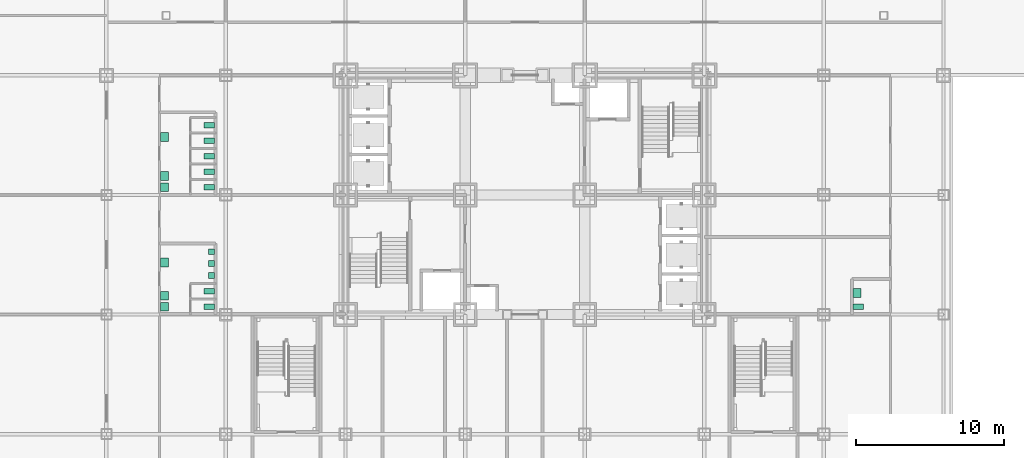
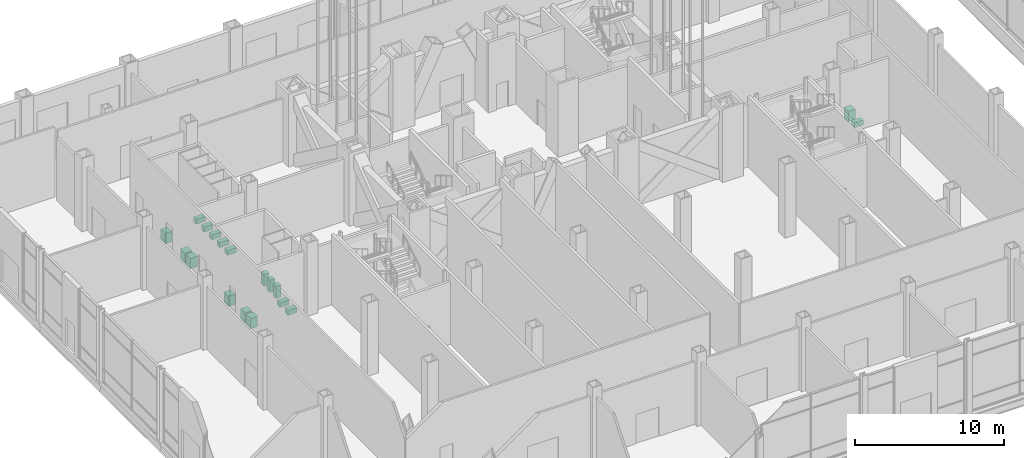
# One storey, part 30 of 35: 18 sanitary terminals.
"""IFC4 building model written with IfcOpenShell, lengths in metres."""

import ifcopenshell
import ifcopenshell.guid

model = None  # the IFC model being written
_history = None  # IfcOwnerHistory: only IFC2X3 demands one
_inside = {}  # id of a spatial element -> (the spatial element, [elements in it])
_under = {}  # id of a project, library or spatial element -> (it, [spatial elements below it])
_declared = {}  # id of a project -> (the project, [libraries it declares])
_typed = {}  # id of a type object -> (the type object, [elements of that type])
_made_of = {}  # id of a material, layer set ... -> (it, [elements and type objects made of it])


def new_model(schema):
    """Start an empty IFC model of exactly this schema.

    Asked for "IFC4X3", IfcOpenShell would pick the latest addendum, in which some entities
    have other attributes; the version numbers below select the first issue.
    IFC2X3 requires an IfcOwnerHistory on every rooted entity: one is made here for all.
    """
    global model, _history
    if schema == "IFC4X3":
        model = ifcopenshell.file(schema_version=(4, 3, 0, 0))
    else:
        model = ifcopenshell.file(schema=schema)
    _inside.clear()
    _under.clear()
    _declared.clear()
    _typed.clear()
    _made_of.clear()
    _history = None
    if model.schema == "IFC2X3":
        org = make("IfcOrganization", Name="unknown")
        user = make(
            "IfcPersonAndOrganization",
            ThePerson=make("IfcPerson", FamilyName="unknown"),
            TheOrganization=org,
        )
        app = make(
            "IfcApplication",
            ApplicationDeveloper=org,
            Version="unknown",
            ApplicationFullName="unknown",
            ApplicationIdentifier="unknown",
        )
        _history = make(
            "IfcOwnerHistory",
            OwningUser=user,
            OwningApplication=app,
            ChangeAction="ADDED",
            CreationDate=0,
        )
    return model


def make(cls, **values):
    """One entity of the class cls with the attributes given. An attribute that is None is left unset."""
    return model.create_entity(
        cls, **{name: value for name, value in values.items() if value is not None}
    )


def rooted(cls, **values):
    """An entity with a GlobalId (a new one), such as an element, a storey or a relation."""
    return make(cls, GlobalId=ifcopenshell.guid.new(), OwnerHistory=_history, **values)


def si_unit(unit_type, name, prefix=None):
    """IfcSIUnit, for example si_unit("LENGTHUNIT", "METRE", prefix="MILLI")."""
    return make("IfcSIUnit", UnitType=unit_type, Prefix=prefix, Name=name)


def assignment(units):
    """IfcUnitAssignment: the units of a project."""
    return None if units is None else make("IfcUnitAssignment", Units=units)


def point(xyz):
    """IfcCartesianPoint."""
    return None if xyz is None else make("IfcCartesianPoint", Coordinates=xyz)


def direction(xyz):
    """IfcDirection."""
    return None if xyz is None else make("IfcDirection", DirectionRatios=xyz)


def frame(location, z_axis=None, x_axis=None):
    """IfcAxis2Placement3D, a coordinate frame: its origin and axes. An axis left out is left unset."""
    return make(
        "IfcAxis2Placement3D",
        Location=point(location),
        Axis=direction(z_axis),
        RefDirection=direction(x_axis),
    )


def frame_2d(location, x_axis=None):
    """IfcAxis2Placement2D, a coordinate frame in the plane: its origin and x axis."""
    return make(
        "IfcAxis2Placement2D", Location=point(location), RefDirection=direction(x_axis)
    )


def origin():
    """The frame at (0, 0, 0) with its axes left unset."""
    return frame((0.0, 0.0, 0.0))


def origin_2d():
    """The frame at (0, 0) in the plane with its x axis left unset."""
    return frame_2d((0.0, 0.0))


def place(relative_to, where):
    """IfcLocalPlacement: puts the frame where relative to a parent placement (None: the world)."""
    return make(
        "IfcLocalPlacement", PlacementRelTo=relative_to, RelativePlacement=where
    )


def context(
    kind, dimensions, precision=None, world=None, true_north=None, identifier=None
):
    """IfcGeometricRepresentationContext, for example the 3D "Model" context."""
    return make(
        "IfcGeometricRepresentationContext",
        ContextIdentifier=identifier,
        ContextType=kind,
        CoordinateSpaceDimension=dimensions,
        Precision=precision,
        WorldCoordinateSystem=world,
        TrueNorth=true_north,
    )


def subcontext(parent, identifier, kind, view, scale=None):
    """IfcGeometricRepresentationSubContext, for example "Body" below "Model"."""
    return make(
        "IfcGeometricRepresentationSubContext",
        ContextIdentifier=identifier,
        ContextType=kind,
        ParentContext=parent,
        TargetScale=scale,
        TargetView=view,
    )


def project(units=None, contexts=None):
    """IfcProject with its units and contexts."""
    return rooted(
        "IfcProject",
        Name="project",
        RepresentationContexts=contexts,
        UnitsInContext=assignment(units),
    )


def spatial(cls, under=None, at=None, **own):
    """A site, building, storey or space (cls), placed at a placement, below another one or the project."""
    s = rooted(cls, ObjectPlacement=at, **own)
    if under is not None:
        _under.setdefault(under.id(), (under, []))[1].append(s)
    return s


def profile(cls, at=None, kind="AREA", **sizes):
    """A parametric profile (cls). Its sizes go by their IFC names, for example OverallWidth=200.0."""
    return make(cls, ProfileType=kind, Position=at, **sizes)


def rectangle(**sizes):
    """IfcRectangleProfileDef."""
    return profile("IfcRectangleProfileDef", **sizes)


def extrude(swept, where, along, depth):
    """IfcExtrudedAreaSolid: the profile swept, set in the frame where, extruded along a direction by depth."""
    return make(
        "IfcExtrudedAreaSolid",
        SweptArea=swept,
        Position=where,
        ExtrudedDirection=direction(along),
        Depth=depth,
    )


def shape(context_of_items, identifier, shape_type, items):
    """IfcShapeRepresentation: the items that make up one representation, for example the "Body"."""
    return make(
        "IfcShapeRepresentation",
        ContextOfItems=context_of_items,
        RepresentationIdentifier=identifier,
        RepresentationType=shape_type,
        Items=items,
    )


def material(Name=None, Category=None):
    """IfcMaterial."""
    return make("IfcMaterial", Name=Name, Category=Category)


def made_of(thing, what):
    """Note that an element or type object is made of a material, layer set ...; save() writes the relation."""
    if what is not None:
        _made_of.setdefault(what.id(), (what, []))[1].append(thing)
    return thing


def element(
    cls,
    number,
    at=None,
    inside=None,
    cuts=None,
    type_object=None,
    material=None,
    context=None,
    identifier="Body",
    shape_type=None,
    held_by="IfcProductDefinitionShape",
    body=None,
    shapes=None,
    **own,
):
    """One element of the class cls, such as IfcWall. Its Tag is "e" and its number.

    at: its placement. inside: the storey or other place that contains it. cuts: it is an
    opening in that element (IfcRelVoidsElement). A single representation is given by context,
    identifier, shape_type and body (its items); several are given by shapes. held_by: the class
    of the entity that holds the representations. save() writes the other relations.
    """
    e = rooted(cls, Tag="e%d" % number, ObjectPlacement=at, **own)
    if body is not None:
        shapes = [shape(context, identifier, shape_type, body)]
    if shapes is not None:
        e.Representation = make(held_by, Representations=shapes)
    if inside is not None:
        _inside.setdefault(inside.id(), (inside, []))[1].append(e)
    if cuts is not None:
        rooted(
            "IfcRelVoidsElement", RelatingBuildingElement=cuts, RelatedOpeningElement=e
        )
    if type_object is not None:
        _typed.setdefault(type_object.id(), (type_object, []))[1].append(e)
    return made_of(e, material)


def aggregate(whole, parts):
    """IfcRelAggregates: a whole, such as a stair, and the parts it consists of."""
    return rooted("IfcRelAggregates", RelatingObject=whole, RelatedObjects=parts)


def save(model, path):
    """Write the relations noted so far, then the file.

    IfcRelAggregates (storeys below a building ...), IfcRelContainedInSpatialStructure (elements
    in a storey), IfcRelDefinesByType, IfcRelAssociatesMaterial and IfcRelDeclares: one each for
    every whole, place, type object, material and project.
    """
    for whole, parts in _under.values():
        aggregate(whole, parts)
    for where, things in _inside.values():
        rooted(
            "IfcRelContainedInSpatialStructure",
            RelatedElements=things,
            RelatingStructure=where,
        )
    for kind, things in _typed.values():
        rooted("IfcRelDefinesByType", RelatedObjects=things, RelatingType=kind)
    for what, things in _made_of.values():
        rooted("IfcRelAssociatesMaterial", RelatedObjects=things, RelatingMaterial=what)
    for by, libraries in _declared.values():
        rooted("IfcRelDeclares", RelatingContext=by, RelatedDefinitions=libraries)
    model.write(path)


model = new_model("IFC4")

# Units and contexts
model_context = context("Model", 3, precision=1e-05, world=origin(), true_north=direction((0.0, 1.0)))
body_context = subcontext(model_context, "Body", "Model", "MODEL_VIEW")
ifc_project = project(units=[si_unit("LENGTHUNIT", "METRE"), si_unit("AREAUNIT", "SQUARE_METRE"), si_unit("VOLUMEUNIT", "CUBIC_METRE"), si_unit("PLANEANGLEUNIT", "RADIAN"), si_unit("MASSUNIT", "GRAM", prefix="KILO")], contexts=[model_context])

# Site, building, storey
site_placement = place(None, origin())
site = spatial("IfcSite", under=ifc_project, at=site_placement, CompositionType="ELEMENT")
building_placement = place(site_placement, origin())
building = spatial("IfcBuilding", under=site, at=building_placement, Name="Kopane Lantern Tower", CompositionType="ELEMENT")
storey_placement = place(building_placement, origin())
storey = spatial("IfcBuildingStorey", under=building, at=storey_placement, Name="L00", CompositionType="ELEMENT", Elevation=0.0)

# Sanitary terminals
ifc_material = material(Name="Vitreous china")
for number, where, z_axis, x_axis, name in (
    (1, (6.97509765625, 24.824951171875, 0.0), (0.0, 0.0, 1.0), (1.0, 0.0, 0.0), "WC pan L00"),
    (2, (6.97509765625, 25.875, 0.0), (0.0, 0.0, 1.0), (1.0, 0.0, 0.0), "WC pan L00"),
):
    element("IfcSanitaryTerminal", number, at=place(storey_placement, frame(where, z_axis=z_axis, x_axis=x_axis)), inside=storey, material=ifc_material, Name=name, PredefinedType="TOILETPAN", context=body_context, shape_type="SweptSolid", body=[
        extrude(rectangle(XDim=0.699951171875, YDim=0.3798828125, at=origin_2d()), origin(), (0.0, 0.0, 1.0), 0.39990234375),
    ])
for number, where, z_axis, x_axis, name in (
    (3, (7.125, 26.949951171875, 0.0), (0.0, 0.0, 1.0), (1.0, 0.0, 0.0), "Urinal L00"),
    (4, (7.125, 27.75, 0.0), (0.0, 0.0, 1.0), (1.0, 0.0, 0.0), "Urinal L00"),
    (5, (7.125, 28.550048828125, 0.0), (0.0, 0.0, 1.0), (1.0, 0.0, 0.0), "Urinal L00"),
):
    element("IfcSanitaryTerminal", number, at=place(storey_placement, frame(where, z_axis=z_axis, x_axis=x_axis)), inside=storey, material=ifc_material, Name=name, PredefinedType="URINAL", context=body_context, shape_type="SweptSolid", body=[
        extrude(rectangle(XDim=0.39990234375, YDim=0.39990234375, at=origin_2d()), origin(), (0.0, 0.0, 1.0), 1.0),
    ])
for number, where, z_axis, x_axis, name in (
    (6, (3.949951171875, 24.824951171875, 0.0), (0.0, 0.0, 1.0), (1.0, 0.0, 0.0), "Wash basin L00"),
    (7, (3.949951171875, 25.574951171875, 0.0), (0.0, 0.0, 1.0), (1.0, 0.0, 0.0), "Wash basin L00"),
    (8, (3.949951171875, 27.824951171875, 0.0), (0.0, 0.0, 1.0), (1.0, 0.0, 0.0), "Wash basin L00"),
):
    element("IfcSanitaryTerminal", number, at=place(storey_placement, frame(where, z_axis=z_axis, x_axis=x_axis)), inside=storey, material=ifc_material, Name=name, PredefinedType="WASHHANDBASIN", context=body_context, shape_type="SweptSolid", body=[
        extrude(rectangle(XDim=0.550048828125, YDim=0.60009765625, at=origin_2d()), origin(), (0.0, 0.0, 1.0), 0.85009765625),
    ])
for number, where, z_axis, x_axis, name in (
    (9, (6.97509765625, 32.925048828125, 0.0), (0.0, 0.0, 1.0), (1.0, 0.0, 0.0), "WC pan L00"),
    (10, (6.97509765625, 33.97509765625, 0.0), (0.0, 0.0, 1.0), (1.0, 0.0, 0.0), "WC pan L00"),
    (11, (6.97509765625, 35.02490234375, 0.0), (0.0, 0.0, 1.0), (1.0, 0.0, 0.0), "WC pan L00"),
    (12, (6.97509765625, 36.074951171875, 0.0), (0.0, 0.0, 1.0), (1.0, 0.0, 0.0), "WC pan L00"),
    (13, (6.97509765625, 37.125, 0.0), (0.0, 0.0, 1.0), (1.0, 0.0, 0.0), "WC pan L00"),
):
    element("IfcSanitaryTerminal", number, at=place(storey_placement, frame(where, z_axis=z_axis, x_axis=x_axis)), inside=storey, material=ifc_material, Name=name, PredefinedType="TOILETPAN", context=body_context, shape_type="SweptSolid", body=[
        extrude(rectangle(XDim=0.699951171875, YDim=0.3798828125, at=origin_2d()), origin(), (0.0, 0.0, 1.0), 0.39990234375),
    ])
for number, where, z_axis, x_axis, name in (
    (14, (3.949951171875, 32.925048828125, 0.0), (0.0, 0.0, 1.0), (1.0, 0.0, 0.0), "Wash basin L00"),
    (15, (3.949951171875, 33.675048828125, 0.0), (0.0, 0.0, 1.0), (1.0, 0.0, 0.0), "Wash basin L00"),
    (16, (3.949951171875, 36.324951171875, 0.0), (0.0, 0.0, 1.0), (1.0, 0.0, 0.0), "Wash basin L00"),
):
    element("IfcSanitaryTerminal", number, at=place(storey_placement, frame(where, z_axis=z_axis, x_axis=x_axis)), inside=storey, material=ifc_material, Name=name, PredefinedType="WASHHANDBASIN", context=body_context, shape_type="SweptSolid", body=[
        extrude(rectangle(XDim=0.550048828125, YDim=0.60009765625, at=origin_2d()), origin(), (0.0, 0.0, 1.0), 0.85009765625),
    ])
sanitary_terminal_1_placement = place(storey_placement, frame((50.925048828125, 24.824951171875, 0.0), z_axis=(0.0, 0.0, 1.0), x_axis=(1.0, 0.0, 0.0)))
element("IfcSanitaryTerminal", 17, at=sanitary_terminal_1_placement, inside=storey, material=ifc_material, Name="WC pan L00", PredefinedType="TOILETPAN", context=body_context, shape_type="SweptSolid", body=[
    extrude(rectangle(XDim=0.699951171875, YDim=0.3798828125, at=origin_2d()), origin(), (0.0, 0.0, 1.0), 0.39990234375),
])
sanitary_terminal_2_placement = place(storey_placement, frame((50.85009765625, 25.75, 0.0), z_axis=(0.0, 0.0, 1.0), x_axis=(1.0, 0.0, 0.0)))
element("IfcSanitaryTerminal", 18, at=sanitary_terminal_2_placement, inside=storey, material=ifc_material, Name="Wash basin L00", PredefinedType="WASHHANDBASIN", context=body_context, shape_type="SweptSolid", body=[
    extrude(rectangle(XDim=0.550048828125, YDim=0.60009765625, at=origin_2d()), origin(), (0.0, 0.0, 1.0), 0.85009765625),
])

save(model, "model.ifc")
